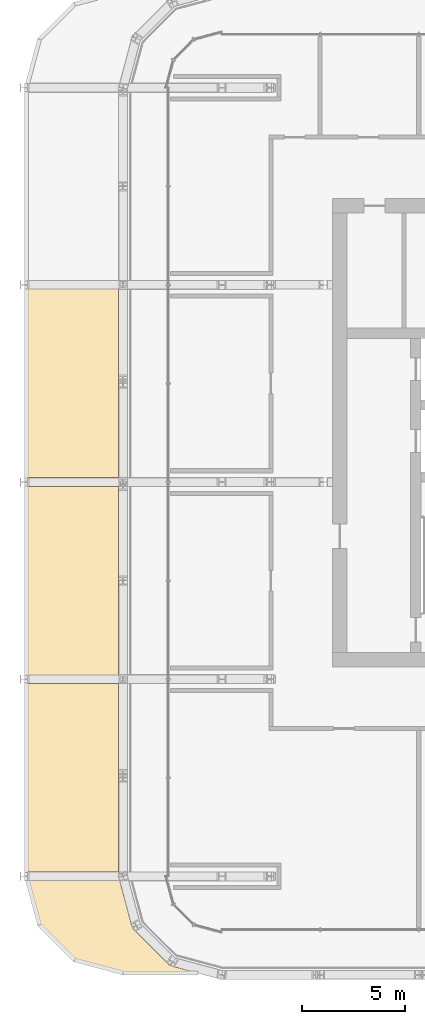
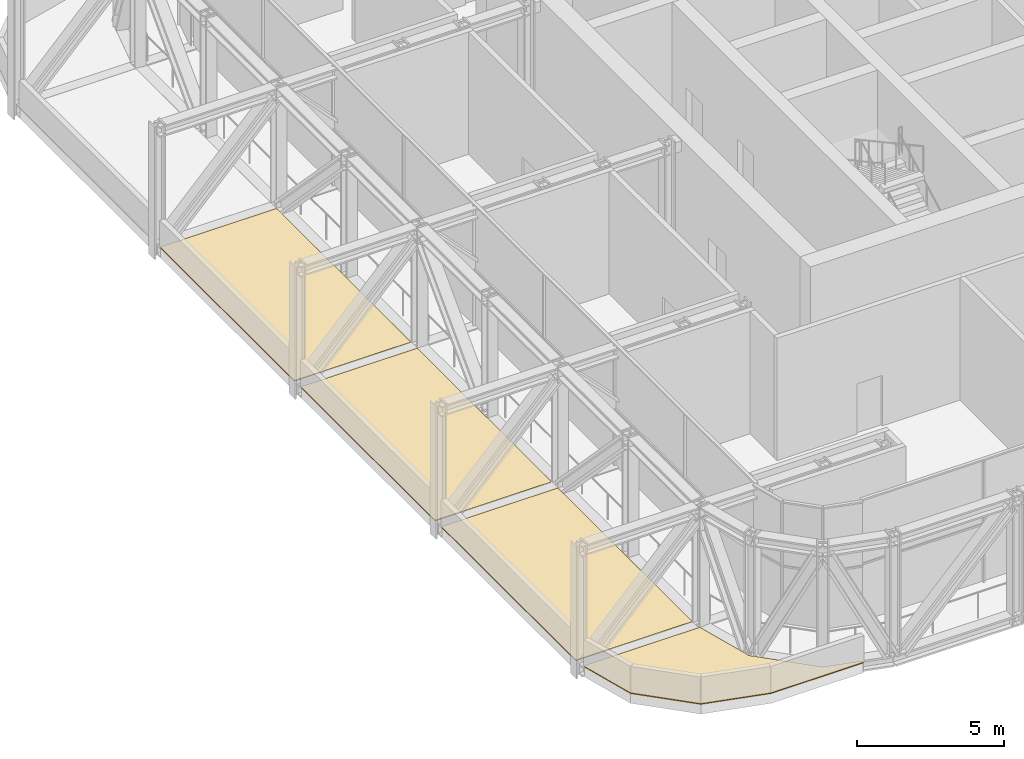
# One storey, part 23 of 30: 4 coverings.
"""IFC4 building model written with IfcOpenShell, lengths in metres."""

from ifc_helpers import new_model, si_unit, direction, frame, origin, place, context, subcontext, project, spatial, polyline, outline, extrude, material, layer, layer_set, type_object, element, save


model = new_model("IFC4")

# Units and contexts
model_context = context("Model", 3, precision=1e-05, world=origin(), true_north=direction((0.0, 1.0)))
body_context = subcontext(model_context, "Body", "Model", "MODEL_VIEW")
ifc_project = project(units=[si_unit("LENGTHUNIT", "METRE"), si_unit("AREAUNIT", "SQUARE_METRE"), si_unit("VOLUMEUNIT", "CUBIC_METRE"), si_unit("PLANEANGLEUNIT", "RADIAN"), si_unit("MASSUNIT", "GRAM", prefix="KILO")], contexts=[model_context])

# Site, building, storey
site_placement = place(None, origin())
site = spatial("IfcSite", under=ifc_project, at=site_placement, CompositionType="ELEMENT")
building_placement = place(site_placement, origin())
building = spatial("IfcBuilding", under=site, at=building_placement, Name="Madar Terraces", CompositionType="ELEMENT")
storey_placement = place(building_placement, frame((0.0, 0.0, 173.5)))
storey = spatial("IfcBuildingStorey", under=building, at=storey_placement, Name="L45", CompositionType="ELEMENT", Elevation=173.5)

# Coverings
ifc_material = material(Name="Porcelain paving slabs on pedestals")
ifc_layer = layer(ifc_material, 0.0400390625)
ifc_layer_set = layer_set([ifc_layer], Name="Terrace paving 40")
covering_type = type_object("IfcCoveringType", Name="Terrace paving 40", PredefinedType="FLOORING", material=ifc_layer_set)
covering_1_placement = place(storey_placement, origin())
element("IfcCovering", 1, at=covering_1_placement, inside=storey, type_object=covering_type, Name="Terrace paving", PredefinedType="FLOORING", context=body_context, shape_type="SweptSolid", body=[
    extrude(outline(polyline([(2.4033203125, 0.643310546875), (2.398681640625, 0.64599609375), (2.394287109375, 0.64892578125), (2.390380859375, 0.652587890625), (0.652587890625, 2.390380859375), (0.64892578125, 2.394287109375), (0.64599609375, 2.398681640625), (0.643310546875, 2.4033203125), (0.64111328125, 2.407958984375), (0.6396484375, 2.412841796875), (0.073486328125, 4.526123046875), (0.072265625, 4.531005859375), (0.07177734375, 4.53564453125), (0.07177734375, 4.54052734375), (0.072021484375, 4.54541015625), (0.072998046875, 4.550048828125), (0.07421875, 4.5546875), (0.075927734375, 4.559326171875), (0.077880859375, 4.563720703125), (0.08056640625, 4.567626953125), (0.08349609375, 4.571533203125), (0.0869140625, 4.574951171875), (0.09033203125, 4.578125), (0.09423828125, 4.5810546875), (0.098388671875, 4.58349609375), (0.102783203125, 4.58544921875), (0.107421875, 4.587158203125), (0.112060546875, 4.58837890625), (0.11669921875, 4.5888671875), (0.12158203125, 4.589111328125), (4.599853515625, 4.589111328125), (4.60498046875, 4.5888671875), (4.60986328125, 4.588134765625), (4.61474609375, 4.5869140625), (4.619384765625, 4.585205078125), (4.6240234375, 4.5830078125), (4.62841796875, 4.580322265625), (4.63232421875, 4.577392578125), (4.635986328125, 4.57373046875), (4.63916015625, 4.570068359375), (4.64208984375, 4.56591796875), (4.64453125, 4.5615234375), (4.646484375, 4.556884765625), (4.648193359375, 4.552001953125), (5.253662109375, 2.2919921875), (5.254150390625, 2.291015625), (5.2548828125, 2.289794921875), (7.08984375, 0.455078125), (7.0908203125, 0.4541015625), (7.092041015625, 0.45361328125), (8.418701171875, 0.098388671875), (8.42333984375, 0.0966796875), (8.427978515625, 0.0947265625), (8.43212890625, 0.09228515625), (8.436279296875, 0.089599609375), (8.440185546875, 0.086181640625), (8.443603515625, 0.082763671875), (8.446533203125, 0.078857421875), (8.44921875, 0.07470703125), (8.451416015625, 0.0703125), (8.453125, 0.0654296875), (8.45458984375, 0.060791015625), (8.455322265625, 0.055908203125), (8.455810546875, 0.05078125), (8.45556640625, 0.0458984375), (8.454833984375, 0.041015625), (8.45361328125, 0.0361328125), (8.4521484375, 0.031494140625), (8.4501953125, 0.027099609375), (8.447509765625, 0.022705078125), (8.444580078125, 0.018798828125), (8.44140625, 0.014892578125), (8.437744140625, 0.01171875), (8.43359375, 0.008544921875), (8.429443359375, 0.006103515625), (8.425048828125, 0.00390625), (8.42041015625, 0.002197265625), (8.41552734375, 0.0009765625), (8.41064453125, 0.000244140625), (8.40576171875, 0.0), (4.806640625, 0.0), (4.80224609375, 0.000244140625), (4.7978515625, 0.000732421875), (4.793701171875, 0.001708984375), (2.412841796875, 0.6396484375), (2.407958984375, 0.64111328125), (2.4033203125, 0.643310546875)])), origin(), (0.0, 0.0, 1.0), 0.0400390625),
])
covering_2_placement = place(storey_placement, origin())
element("IfcCovering", 2, at=covering_2_placement, inside=storey, type_object=covering_type, Name="Terrace paving", PredefinedType="FLOORING", context=body_context, shape_type="SweptSolid", body=[
    extrude(outline(polyline([(0.002197265625, 14.15380859375), (0.00390625, 14.158203125), (0.005859375, 14.16259765625), (0.00830078125, 14.1669921875), (0.01123046875, 14.1708984375), (0.0146484375, 14.174560546875), (0.018310546875, 14.177734375), (0.022216796875, 14.180908203125), (0.0263671875, 14.183349609375), (0.031005859375, 14.185302734375), (0.035400390625, 14.18701171875), (0.040283203125, 14.188232421875), (0.045166015625, 14.18896484375), (0.050048828125, 14.189208984375), (4.539306640625, 14.189208984375), (4.544189453125, 14.18896484375), (4.548828125, 14.188232421875), (4.5537109375, 14.18701171875), (4.558349609375, 14.185302734375), (4.562744140625, 14.183349609375), (4.56689453125, 14.180908203125), (4.57080078125, 14.177734375), (4.574462890625, 14.174560546875), (4.577880859375, 14.1708984375), (4.580810546875, 14.1669921875), (4.583251953125, 14.16259765625), (4.58544921875, 14.158203125), (4.5869140625, 14.15380859375), (4.588134765625, 14.14892578125), (4.5888671875, 14.14404296875), (4.589111328125, 14.13916015625), (4.589111328125, 5.060791015625), (4.5888671875, 5.055908203125), (4.588134765625, 5.051025390625), (4.5869140625, 5.04638671875), (4.58544921875, 5.041748046875), (4.583251953125, 5.037353515625), (4.580810546875, 5.032958984375), (4.577880859375, 5.029052734375), (4.574462890625, 5.025390625), (4.57080078125, 5.022216796875), (4.56689453125, 5.019287109375), (4.562744140625, 5.0166015625), (4.558349609375, 5.0146484375), (4.5537109375, 5.012939453125), (4.548828125, 5.01171875), (4.544189453125, 5.010986328125), (4.539306640625, 5.0107421875), (0.050048828125, 5.0107421875), (0.045166015625, 5.010986328125), (0.040283203125, 5.01171875), (0.035400390625, 5.012939453125), (0.031005859375, 5.0146484375), (0.0263671875, 5.0166015625), (0.022216796875, 5.019287109375), (0.018310546875, 5.022216796875), (0.0146484375, 5.025390625), (0.01123046875, 5.029052734375), (0.00830078125, 5.032958984375), (0.005859375, 5.037353515625), (0.00390625, 5.041748046875), (0.002197265625, 5.04638671875), (0.0009765625, 5.051025390625), (0.000244140625, 5.055908203125), (0.0, 5.060791015625), (0.0, 14.13916015625), (0.000244140625, 14.14404296875), (0.0009765625, 14.14892578125), (0.002197265625, 14.15380859375)])), origin(), (0.0, 0.0, 1.0), 0.0400390625),
])
covering_3_placement = place(storey_placement, origin())
element("IfcCovering", 3, at=covering_3_placement, inside=storey, type_object=covering_type, Name="Terrace paving", PredefinedType="FLOORING", context=body_context, shape_type="SweptSolid", body=[
    extrude(outline(polyline([(0.002197265625, 23.753662109375), (0.00390625, 23.75830078125), (0.005859375, 23.7626953125), (0.00830078125, 23.76708984375), (0.01123046875, 23.77099609375), (0.0146484375, 23.7744140625), (0.018310546875, 23.77783203125), (0.022216796875, 23.78076171875), (0.0263671875, 23.783203125), (0.031005859375, 23.785400390625), (0.035400390625, 23.787109375), (0.040283203125, 23.7880859375), (0.045166015625, 23.788818359375), (0.050048828125, 23.789306640625), (4.539306640625, 23.789306640625), (4.544189453125, 23.788818359375), (4.548828125, 23.7880859375), (4.5537109375, 23.787109375), (4.558349609375, 23.785400390625), (4.562744140625, 23.783203125), (4.56689453125, 23.78076171875), (4.57080078125, 23.77783203125), (4.574462890625, 23.7744140625), (4.577880859375, 23.77099609375), (4.580810546875, 23.76708984375), (4.583251953125, 23.7626953125), (4.58544921875, 23.75830078125), (4.5869140625, 23.753662109375), (4.588134765625, 23.748779296875), (4.5888671875, 23.744140625), (4.589111328125, 23.7392578125), (4.589111328125, 14.660888671875), (4.5888671875, 14.656005859375), (4.588134765625, 14.651123046875), (4.5869140625, 14.646240234375), (4.58544921875, 14.6416015625), (4.583251953125, 14.63720703125), (4.580810546875, 14.633056640625), (4.577880859375, 14.629150390625), (4.574462890625, 14.62548828125), (4.57080078125, 14.622314453125), (4.56689453125, 14.619140625), (4.562744140625, 14.61669921875), (4.558349609375, 14.614501953125), (4.5537109375, 14.613037109375), (4.548828125, 14.61181640625), (4.544189453125, 14.611083984375), (4.539306640625, 14.61083984375), (0.050048828125, 14.61083984375), (0.045166015625, 14.611083984375), (0.040283203125, 14.61181640625), (0.035400390625, 14.613037109375), (0.031005859375, 14.614501953125), (0.0263671875, 14.61669921875), (0.022216796875, 14.619140625), (0.018310546875, 14.622314453125), (0.0146484375, 14.62548828125), (0.01123046875, 14.629150390625), (0.00830078125, 14.633056640625), (0.005859375, 14.63720703125), (0.00390625, 14.6416015625), (0.002197265625, 14.646240234375), (0.0009765625, 14.651123046875), (0.000244140625, 14.656005859375), (0.0, 14.660888671875), (0.0, 23.7392578125), (0.000244140625, 23.744140625), (0.0009765625, 23.748779296875), (0.002197265625, 23.753662109375)])), origin(), (0.0, 0.0, 1.0), 0.0400390625),
])
covering_4_placement = place(storey_placement, origin())
element("IfcCovering", 4, at=covering_4_placement, inside=storey, type_object=covering_type, Name="Terrace paving", PredefinedType="FLOORING", context=body_context, shape_type="SweptSolid", body=[
    extrude(outline(polyline([(0.0009765625, 33.348876953125), (0.002197265625, 33.353759765625), (0.00390625, 33.3583984375), (0.005859375, 33.36279296875), (0.00830078125, 33.366943359375), (0.01123046875, 33.370849609375), (0.0146484375, 33.37451171875), (0.018310546875, 33.377685546875), (0.022216796875, 33.380859375), (0.0263671875, 33.38330078125), (0.031005859375, 33.385498046875), (0.035400390625, 33.386962890625), (0.040283203125, 33.38818359375), (0.045166015625, 33.388916015625), (0.050048828125, 33.38916015625), (4.539306640625, 33.38916015625), (4.544189453125, 33.388916015625), (4.548828125, 33.38818359375), (4.5537109375, 33.386962890625), (4.558349609375, 33.385498046875), (4.562744140625, 33.38330078125), (4.56689453125, 33.380859375), (4.57080078125, 33.377685546875), (4.574462890625, 33.37451171875), (4.577880859375, 33.370849609375), (4.580810546875, 33.366943359375), (4.583251953125, 33.36279296875), (4.58544921875, 33.3583984375), (4.5869140625, 33.353759765625), (4.588134765625, 33.348876953125), (4.5888671875, 33.343994140625), (4.589111328125, 33.339111328125), (4.589111328125, 24.2607421875), (4.5888671875, 24.255859375), (4.588134765625, 24.251220703125), (4.5869140625, 24.246337890625), (4.58544921875, 24.24169921875), (4.583251953125, 24.2373046875), (4.580810546875, 24.23291015625), (4.577880859375, 24.22900390625), (4.574462890625, 24.2255859375), (4.57080078125, 24.22216796875), (4.56689453125, 24.21923828125), (4.562744140625, 24.216796875), (4.558349609375, 24.214599609375), (4.5537109375, 24.212890625), (4.548828125, 24.2119140625), (4.544189453125, 24.211181640625), (4.539306640625, 24.210693359375), (0.050048828125, 24.210693359375), (0.045166015625, 24.211181640625), (0.040283203125, 24.2119140625), (0.035400390625, 24.212890625), (0.031005859375, 24.214599609375), (0.0263671875, 24.216796875), (0.022216796875, 24.21923828125), (0.018310546875, 24.22216796875), (0.0146484375, 24.2255859375), (0.01123046875, 24.22900390625), (0.00830078125, 24.23291015625), (0.005859375, 24.2373046875), (0.00390625, 24.24169921875), (0.002197265625, 24.246337890625), (0.0009765625, 24.251220703125), (0.000244140625, 24.255859375), (0.0, 24.2607421875), (0.0, 33.339111328125), (0.000244140625, 33.343994140625), (0.0009765625, 33.348876953125)])), origin(), (0.0, 0.0, 1.0), 0.0400390625),
])

save(model, "model.ifc")
